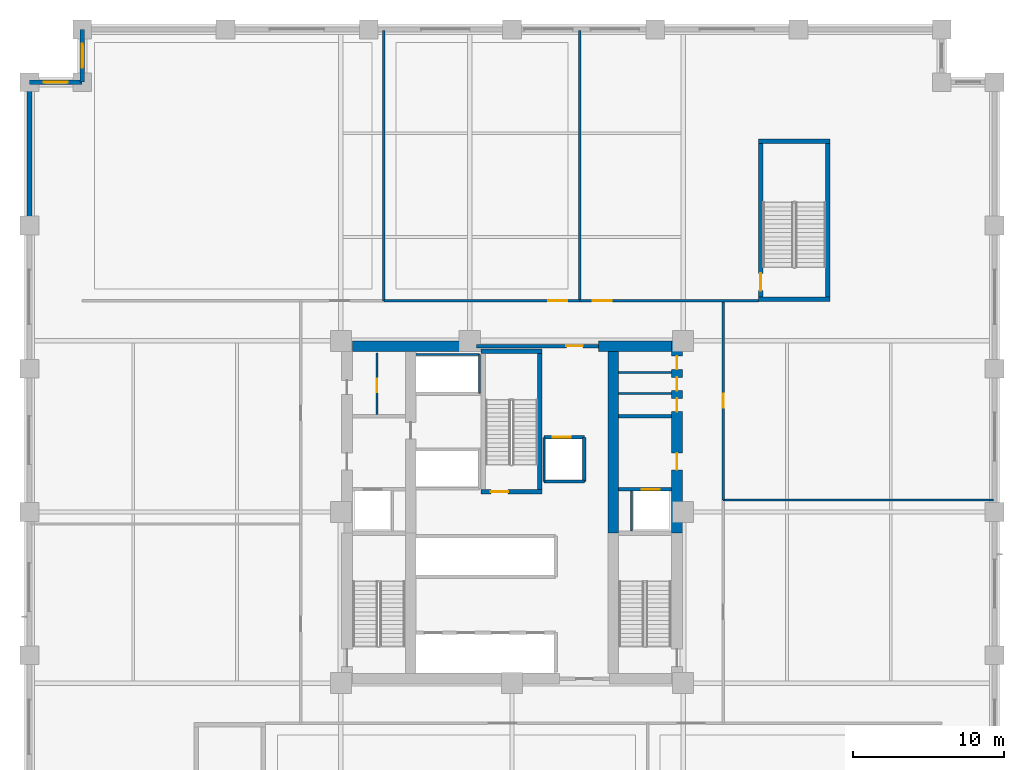
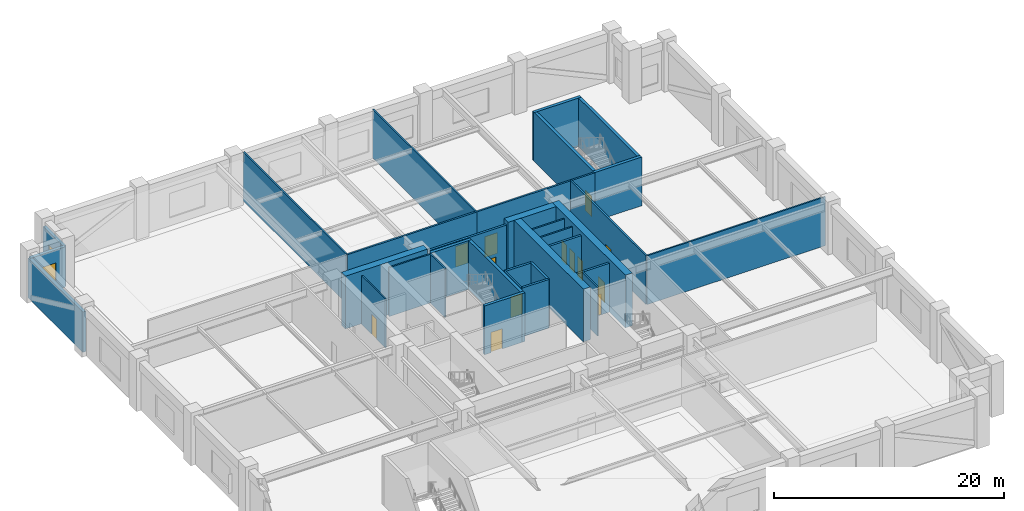
# One storey, part 7 of 14: 33 walls, 13 doors, 2 windows, 15 openings.
"""IFC4 building model written with IfcOpenShell, lengths in metres."""

from ifc_helpers import new_model, si_unit, direction, frame, frame_2d, origin, place, context, subcontext, project, spatial, rectangle, extrude, material, layer, layer_set, type_object, element, fill, save


model = new_model("IFC4")

# Units and contexts
model_context = context("Model", 3, precision=1e-05, world=origin(), true_north=direction((0.0, 1.0)))
body_context = subcontext(model_context, "Body", "Model", "MODEL_VIEW")
ifc_project = project(units=[si_unit("LENGTHUNIT", "METRE"), si_unit("AREAUNIT", "SQUARE_METRE"), si_unit("VOLUMEUNIT", "CUBIC_METRE"), si_unit("PLANEANGLEUNIT", "RADIAN"), si_unit("MASSUNIT", "GRAM", prefix="KILO")], contexts=[model_context])

# Site, building, storey
site_placement = place(None, origin())
site = spatial("IfcSite", under=ifc_project, at=site_placement, CompositionType="ELEMENT")
building_placement = place(site_placement, origin())
building = spatial("IfcBuilding", under=site, at=building_placement, Name="Nhamokura Convention Tower", CompositionType="ELEMENT")
storey_placement = place(building_placement, frame((0.0, 0.0, 23.800048828125)))
storey = spatial("IfcBuildingStorey", under=building, at=storey_placement, Name="L04", CompositionType="ELEMENT", Elevation=23.800048828125)

# Wall, opening, door
ifc_material_1 = material(Name="Moisture-resistant tile-backer partition", Category="masonry")
ifc_layer_1 = layer(ifc_material_1, 0.139892578125)
ifc_layer_set_1 = layer_set([ifc_layer_1], Name="BathroomWetWall_140")
wall_type_1 = type_object("IfcWallType", Name="BathroomWetWall_140", PredefinedType="STANDARD", material=ifc_layer_set_1)
wall_1_placement = place(storey_placement, frame((23.050048828125, 38.449951171875, 0.0), z_axis=(0.0, 0.0, 1.0), x_axis=(0.0, 1.0, 0.0)))
wall_1 = element("IfcWall", 1, at=wall_1_placement, inside=storey, type_object=wall_type_1, Name="L04 Wall INT-L04-CWNWV", PredefinedType="STANDARD", context=body_context, shape_type="SweptSolid", body=[
    extrude(rectangle(XDim=4.10009765625, YDim=0.139892578125, at=frame_2d((2.050048828125, 0.0))), origin(), (0.0, 0.0, 1.0), 5.179931640625),
])
opening_1_placement = place(wall_1_placement, frame((1.5, 0.0, 0.0)))
opening_1 = element("IfcOpeningElement", 2, at=opening_1_placement, cuts=wall_1, Name="Opening D-11", PredefinedType="OPENING", context=body_context, shape_type="SweptSolid", body=[
    extrude(rectangle(XDim=0.8798828125, YDim=2.10009765625, at=frame_2d((0.43994140625, 1.050048828125))), frame((0.0, 0.079833984375, 0.0), z_axis=(0.0, -1.0, 0.0), x_axis=(1.0, 0.0, 0.0)), (0.0, 0.0, 1.0), 0.159912109375),
])
ifc_material_2 = material(Name="Solid oak hardwood", Category="wood")
door_type_1 = type_object("IfcDoorType", Name="BathroomDoor_880", OperationType="NOTDEFINED", PredefinedType="DOOR", material=ifc_material_2)
door_1_placement = place(opening_1_placement, origin())
door_1 = element("IfcDoor", 3, at=door_1_placement, inside=storey, type_object=door_type_1, Name="L04 Inner Store Door", OperationType="SINGLE_SWING_LEFT", OverallHeight=2.10009765625, OverallWidth=0.8798828125, PredefinedType="DOOR", context=body_context, shape_type="SweptSolid", body=[
    extrude(rectangle(XDim=0.8798828125, YDim=2.10009765625, at=frame_2d((0.43994140625, 1.050048828125))), frame((0.0, 0.02490234375, 0.0), z_axis=(0.0, -1.0, 0.0), x_axis=(1.0, 0.0, 0.0)), (0.0, 0.0, 1.0), 0.050048828125),
])
fill(opening_1, door_1)

# Walls
for number, where, z_axis, x_axis, name in (
    (4, (39.06005859375, 39.85009765625, 0.0), (0.0, 0.0, 1.0), (1.0, 0.0, 0.0), "L04 Wall INT-L04-CWNE1"),
    (5, (39.06005859375, 41.25, 0.0), (0.0, 0.0, 1.0), (1.0, 0.0, 0.0), "L04 Wall INT-L04-CWNE2"),
):
    element("IfcWall", number, at=place(storey_placement, frame(where, z_axis=z_axis, x_axis=x_axis)), inside=storey, type_object=wall_type_1, Name=name, PredefinedType="STANDARD", context=body_context, shape_type="SweptSolid", body=[
        extrude(rectangle(XDim=3.530029296875, YDim=0.139892578125, at=frame_2d((1.76513671875, 0.0))), origin(), (0.0, 0.0, 1.0), 5.179931640625),
    ])
ifc_material_3 = material(Name="Bronze-pigmented precast concrete C45/55", Category="concrete")
ifc_layer_2 = layer(ifc_material_3, 0.320068359375)
ifc_layer_set_2 = layer_set([ifc_layer_2], Name="BronzePrecastSpandrel_320")
wall_type_2 = type_object("IfcWallType", Name="BronzePrecastSpandrel_320", PredefinedType="USERDEFINED", material=ifc_layer_set_2)
wall_2_placement = place(storey_placement, frame((0.0, 51.0, 0.0), z_axis=(0.0, 0.0, 1.0), x_axis=(0.0, 1.0, 0.0)))
element("IfcWall", 6, at=wall_2_placement, inside=storey, type_object=wall_type_2, Name="L04 Braced-Bay Precast Wall WEST 5", ObjectType="SPANDREL_WALL", PredefinedType="USERDEFINED", context=body_context, shape_type="SweptSolid", body=[
    extrude(rectangle(XDim=9.5, YDim=0.320068359375, at=frame_2d((4.75, 0.0))), origin(), (0.0, 0.0, 1.0), 4.280029296875),
])

# Wall, opening, window
wall_3_placement = place(storey_placement, frame((3.5, 60.5, 0.0), z_axis=(0.0, 0.0, 1.0), x_axis=(0.0, 1.0, 0.0)))
wall_3 = element("IfcWall", 7, at=wall_3_placement, inside=storey, type_object=wall_type_2, Name="L04 Notched Corner Wall NW1", ObjectType="SPANDREL_WALL", PredefinedType="USERDEFINED", context=body_context, shape_type="SweptSolid", body=[
    extrude(rectangle(XDim=3.5, YDim=0.320068359375, at=frame_2d((1.75, 0.0))), origin(), (0.0, 0.0, 1.0), 4.280029296875),
])
opening_2_placement = place(wall_3_placement, frame((0.949951171875, 0.0, 0.85009765625)))
opening_2 = element("IfcOpeningElement", 8, at=opening_2_placement, cuts=wall_3, Name="Opening W-11", PredefinedType="OPENING", context=body_context, shape_type="SweptSolid", body=[
    extrude(rectangle(XDim=1.60009765625, YDim=2.050048828125, at=frame_2d((0.800048828125, 1.02490234375))), frame((0.0, 0.169921875, 0.0), z_axis=(0.0, -1.0, 0.0), x_axis=(1.0, 0.0, 0.0)), (0.0, 0.0, 1.0), 0.340087890625),
])
ifc_material_4 = material(Name="Solar-control bronze low-E double glass", Category="glass")
window_type = type_object("IfcWindowType", Name="NotchCornerWindow_1600", PartitioningType="SINGLE_PANEL", PredefinedType="WINDOW", material=ifc_material_4)
window_1_placement = place(opening_2_placement, origin())
window_1 = element("IfcWindow", 9, at=window_1_placement, inside=storey, type_object=window_type, Name="L04 Notched Corner Window NW1", OverallHeight=2.050048828125, OverallWidth=1.60009765625, PartitioningType="SINGLE_PANEL", PredefinedType="WINDOW", context=body_context, shape_type="SweptSolid", body=[
    extrude(rectangle(XDim=1.60009765625, YDim=2.050048828125, at=frame_2d((0.800048828125, 1.02490234375))), frame((0.0, 0.030029296875, 0.0), z_axis=(0.0, -1.0, 0.0), x_axis=(1.0, 0.0, 0.0)), (0.0, 0.0, 1.0), 0.06005859375),
])
fill(opening_2, window_1)

wall_4_placement = place(storey_placement, frame((0.0, 60.5, 0.0), z_axis=(0.0, 0.0, 1.0), x_axis=(1.0, 0.0, 0.0)))
wall_4 = element("IfcWall", 10, at=wall_4_placement, inside=storey, type_object=wall_type_2, Name="L04 Notched Corner Wall NW2", ObjectType="SPANDREL_WALL", PredefinedType="USERDEFINED", context=body_context, shape_type="SweptSolid", body=[
    extrude(rectangle(XDim=3.5, YDim=0.320068359375, at=frame_2d((1.75, 0.0))), origin(), (0.0, 0.0, 1.0), 4.280029296875),
])
opening_3_placement = place(wall_4_placement, frame((0.949951171875, 0.0, 0.85009765625)))
opening_3 = element("IfcOpeningElement", 11, at=opening_3_placement, cuts=wall_4, Name="Opening W-11", PredefinedType="OPENING", context=body_context, shape_type="SweptSolid", body=[
    extrude(rectangle(XDim=1.60009765625, YDim=2.050048828125, at=frame_2d((0.800048828125, 1.02490234375))), frame((0.0, 0.169921875, 0.0), z_axis=(0.0, -1.0, 0.0), x_axis=(1.0, 0.0, 0.0)), (0.0, 0.0, 1.0), 0.340087890625),
])
window_2_placement = place(opening_3_placement, origin())
window_2 = element("IfcWindow", 12, at=window_2_placement, inside=storey, type_object=window_type, Name="L04 Notched Corner Window NW2", OverallHeight=2.050048828125, OverallWidth=1.60009765625, PartitioningType="SINGLE_PANEL", PredefinedType="WINDOW", context=body_context, shape_type="SweptSolid", body=[
    extrude(rectangle(XDim=1.60009765625, YDim=2.050048828125, at=frame_2d((0.800048828125, 1.02490234375))), frame((0.0, 0.030029296875, 0.0), z_axis=(0.0, -1.0, 0.0), x_axis=(1.0, 0.0, 0.0)), (0.0, 0.0, 1.0), 0.06005859375),
])
fill(opening_3, window_2)

# Wall, openings, doors
ifc_material_5 = material(Name="Concrete C70/85", Category="concrete")
ifc_layer_3 = layer(ifc_material_5, 0.699951171875)
ifc_layer_set_3 = layer_set([ifc_layer_3], Name="CoreShearWall_700")
wall_type_3 = type_object("IfcWallType", Name="CoreShearWall_700", PredefinedType="SHEAR", material=ifc_layer_set_3)
wall_5_placement = place(storey_placement, frame((42.93994140625, 30.60009765625, 0.0), z_axis=(0.0, 0.0, 1.0), x_axis=(0.0, 1.0, 0.0)))
wall_5 = element("IfcWall", 13, at=wall_5_placement, inside=storey, type_object=wall_type_3, Name="L04 Core Shear Wall CW-EN", PredefinedType="SHEAR", context=body_context, shape_type="SweptSolid", body=[
    extrude(rectangle(XDim=12.75, YDim=0.699951171875, at=frame_2d((6.375, 0.0))), origin(), (0.0, 0.0, 1.0), 5.599853515625),
])
opening_4_placement = place(wall_5_placement, frame((4.199951171875, 0.0, 0.0)))
opening_4 = element("IfcOpeningElement", 14, at=opening_4_placement, cuts=wall_5, Name="Opening D-05", PredefinedType="OPENING", context=body_context, shape_type="SweptSolid", body=[
    extrude(rectangle(XDim=1.10009765625, YDim=2.14990234375, at=frame_2d((0.550048828125, 1.074951171875))), frame((0.0, 0.35986328125, 0.0), z_axis=(0.0, -1.0, 0.0), x_axis=(1.0, 0.0, 0.0)), (0.0, 0.0, 1.0), 0.719970703125),
])
opening_5_placement = place(wall_5_placement, frame((8.050048828125, 0.0, 0.0)))
opening_5 = element("IfcOpeningElement", 15, at=opening_5_placement, cuts=wall_5, Name="Opening D-11", PredefinedType="OPENING", context=body_context, shape_type="SweptSolid", body=[
    extrude(rectangle(XDim=0.8798828125, YDim=2.10009765625, at=frame_2d((0.43994140625, 1.050048828125))), frame((0.0, 0.35986328125, 0.0), z_axis=(0.0, -1.0, 0.0), x_axis=(1.0, 0.0, 0.0)), (0.0, 0.0, 1.0), 0.719970703125),
])
opening_6_placement = place(wall_5_placement, frame((9.449951171875, 0.0, 0.0)))
opening_6 = element("IfcOpeningElement", 16, at=opening_6_placement, cuts=wall_5, Name="Opening D-11", PredefinedType="OPENING", context=body_context, shape_type="SweptSolid", body=[
    extrude(rectangle(XDim=0.8798828125, YDim=2.10009765625, at=frame_2d((0.43994140625, 1.050048828125))), frame((0.0, 0.35986328125, 0.0), z_axis=(0.0, -1.0, 0.0), x_axis=(1.0, 0.0, 0.0)), (0.0, 0.0, 1.0), 0.719970703125),
])
opening_7_placement = place(wall_5_placement, frame((10.85009765625, 0.0, 0.0)))
opening_7 = element("IfcOpeningElement", 17, at=opening_7_placement, cuts=wall_5, Name="Opening D-11", PredefinedType="OPENING", context=body_context, shape_type="SweptSolid", body=[
    extrude(rectangle(XDim=0.8798828125, YDim=2.10009765625, at=frame_2d((0.43994140625, 1.050048828125))), frame((0.0, 0.35986328125, 0.0), z_axis=(0.0, -1.0, 0.0), x_axis=(1.0, 0.0, 0.0)), (0.0, 0.0, 1.0), 0.719970703125),
])
door_2_placement = place(opening_5_placement, origin())
door_2 = element("IfcDoor", 18, at=door_2_placement, inside=storey, type_object=door_type_1, Name="L04 Core Door INT-L04-D-MWC", OperationType="SINGLE_SWING_LEFT", OverallHeight=2.10009765625, OverallWidth=0.8798828125, PredefinedType="DOOR", context=body_context, shape_type="SweptSolid", body=[
    extrude(rectangle(XDim=0.8798828125, YDim=2.10009765625, at=frame_2d((0.43994140625, 1.050048828125))), frame((0.0, 0.02490234375, 0.0), z_axis=(0.0, -1.0, 0.0), x_axis=(1.0, 0.0, 0.0)), (0.0, 0.0, 1.0), 0.050048828125),
])
fill(opening_5, door_2)
door_3_placement = place(opening_6_placement, origin())
door_3 = element("IfcDoor", 19, at=door_3_placement, inside=storey, type_object=door_type_1, Name="L04 Core Door INT-L04-D-FWC", OperationType="SINGLE_SWING_RIGHT", OverallHeight=2.10009765625, OverallWidth=0.8798828125, PredefinedType="DOOR", context=body_context, shape_type="SweptSolid", body=[
    extrude(rectangle(XDim=0.8798828125, YDim=2.10009765625, at=frame_2d((0.43994140625, 1.050048828125))), frame((0.0, 0.02490234375, 0.0), z_axis=(0.0, -1.0, 0.0), x_axis=(1.0, 0.0, 0.0)), (0.0, 0.0, 1.0), 0.050048828125),
])
fill(opening_6, door_3)
door_4_placement = place(opening_7_placement, origin())
door_4 = element("IfcDoor", 20, at=door_4_placement, inside=storey, type_object=door_type_1, Name="L04 Core Door INT-L04-D-ARC", OperationType="SINGLE_SWING_LEFT", OverallHeight=2.10009765625, OverallWidth=0.8798828125, PredefinedType="DOOR", context=body_context, shape_type="SweptSolid", body=[
    extrude(rectangle(XDim=0.8798828125, YDim=2.10009765625, at=frame_2d((0.43994140625, 1.050048828125))), frame((0.0, 0.02490234375, 0.0), z_axis=(0.0, -1.0, 0.0), x_axis=(1.0, 0.0, 0.0)), (0.0, 0.0, 1.0), 0.050048828125),
])
fill(opening_7, door_4)
ifc_material_6 = material(Name="Fire-rated steel door", Category="steel")
door_type_2 = type_object("IfcDoorType", Name="FireLobbyDoor_1100", OperationType="NOTDEFINED", PredefinedType="DOOR", material=ifc_material_6)
door_5_placement = place(opening_4_placement, origin())
door_5 = element("IfcDoor", 21, at=door_5_placement, inside=storey, type_object=door_type_2, Name="L04 Core Door INT-L04-D-FFLE", OperationType="SINGLE_SWING_LEFT", OverallHeight=2.14990234375, OverallWidth=1.10009765625, PredefinedType="DOOR", context=body_context, shape_type="SweptSolid", body=[
    extrude(rectangle(XDim=1.10009765625, YDim=2.14990234375, at=frame_2d((0.550048828125, 1.074951171875))), frame((0.0, 0.02490234375, 0.0), z_axis=(0.0, -1.0, 0.0), x_axis=(1.0, 0.0, 0.0)), (0.0, 0.0, 1.0), 0.050048828125),
])
fill(opening_4, door_5)

# Walls
wall_6_placement = place(storey_placement, frame((21.409912109375, 43.0, 0.0), z_axis=(0.0, 0.0, 1.0), x_axis=(1.0, 0.0, 0.0)))
element("IfcWall", 22, at=wall_6_placement, inside=storey, type_object=wall_type_3, Name="L04 Core Shear Wall CW-N1", PredefinedType="SHEAR", context=body_context, shape_type="SweptSolid", body=[
    extrude(rectangle(XDim=8.239990234375, YDim=0.699951171875, at=frame_2d((4.1201171875, 0.0))), origin(), (0.0, 0.0, 1.0), 5.599853515625),
])
wall_7_placement = place(storey_placement, frame((37.75, 43.0, 0.0), z_axis=(0.0, 0.0, 1.0), x_axis=(1.0, 0.0, 0.0)))
element("IfcWall", 23, at=wall_7_placement, inside=storey, type_object=wall_type_3, Name="L04 Core Shear Wall CW-N2", PredefinedType="SHEAR", context=body_context, shape_type="SweptSolid", body=[
    extrude(rectangle(XDim=4.840087890625, YDim=0.699951171875, at=frame_2d((2.419921875, 0.0))), origin(), (0.0, 0.0, 1.0), 5.599853515625),
])
wall_8_placement = place(storey_placement, frame((38.7099609375, 30.60009765625, 0.0), z_axis=(0.0, 0.0, 1.0), x_axis=(0.0, 1.0, 0.0)))
element("IfcWall", 24, at=wall_8_placement, inside=storey, type_object=wall_type_3, Name="L04 Core Shear Wall CW-IEN", PredefinedType="SHEAR", context=body_context, shape_type="SweptSolid", body=[
    extrude(rectangle(XDim=12.0498046875, YDim=0.699951171875, at=frame_2d((6.02490234375, 0.0))), origin(), (0.0, 0.0, 1.0), 5.599853515625),
])

# Wall, opening, door
ifc_material_7 = material(Name="Fire-rated gypsum and masonry partition", Category="masonry")
ifc_layer_4 = layer(ifc_material_7, 0.179931640625)
ifc_layer_set_4 = layer_set([ifc_layer_4], Name="CorridorRatedWall_180")
wall_type_4 = type_object("IfcWallType", Name="CorridorRatedWall_180", PredefinedType="STANDARD", material=ifc_layer_set_4)
wall_9_placement = place(storey_placement, frame((23.5, 46.0, 0.0), z_axis=(0.0, 0.0, 1.0), x_axis=(1.0, 0.0, 0.0)))
wall_9 = element("IfcWall", 25, at=wall_9_placement, inside=storey, type_object=wall_type_4, Name="L04 Wall INT-L04-CW-N01", PredefinedType="STANDARD", context=body_context, shape_type="SweptSolid", body=[
    extrude(rectangle(XDim=13.0, YDim=0.179931640625, at=frame_2d((6.5, 0.0))), origin(), (0.0, 0.0, 1.0), 5.179931640625),
])
opening_8_placement = place(wall_9_placement, frame((10.89990234375, 0.0, 0.0)))
opening_8 = element("IfcOpeningElement", 26, at=opening_8_placement, cuts=wall_9, Name="Opening D-12", PredefinedType="OPENING", context=body_context, shape_type="SweptSolid", body=[
    extrude(rectangle(XDim=1.25, YDim=2.199951171875, at=frame_2d((0.625, 1.10009765625))), frame((0.0, 0.099853515625, 0.0), z_axis=(0.0, -1.0, 0.0), x_axis=(1.0, 0.0, 0.0)), (0.0, 0.0, 1.0), 0.199951171875),
])
ifc_material_8 = material(Name="Fire-rated steel door", Category="steel")
door_type_3 = type_object("IfcDoorType", Name="PlantServiceDoor_1250", OperationType="NOTDEFINED", PredefinedType="DOOR", material=ifc_material_8)
door_6_placement = place(opening_8_placement, origin())
door_6 = element("IfcDoor", 27, at=door_6_placement, inside=storey, type_object=door_type_3, Name="L04 Protocol Suite N02 Door", OperationType="SINGLE_SWING_RIGHT", OverallHeight=2.199951171875, OverallWidth=1.25, PredefinedType="DOOR", context=body_context, shape_type="SweptSolid", body=[
    extrude(rectangle(XDim=1.25, YDim=2.199951171875, at=frame_2d((0.625, 1.10009765625))), frame((0.0, 0.02490234375, 0.0), z_axis=(0.0, -1.0, 0.0), x_axis=(1.0, 0.0, 0.0)), (0.0, 0.0, 1.0), 0.050048828125),
])
fill(opening_8, door_6)

wall_10_placement = place(storey_placement, frame((36.5, 46.0, 0.0), z_axis=(0.0, 0.0, 1.0), x_axis=(1.0, 0.0, 0.0)))
wall_10 = element("IfcWall", 28, at=wall_10_placement, inside=storey, type_object=wall_type_4, Name="L04 Wall INT-L04-CW-N02", PredefinedType="STANDARD", context=body_context, shape_type="SweptSolid", body=[
    extrude(rectangle(XDim=11.85009765625, YDim=0.179931640625, at=frame_2d((5.925048828125, 0.0))), origin(), (0.0, 0.0, 1.0), 5.179931640625),
])
opening_9_placement = place(wall_10_placement, frame((0.85009765625, 0.0, 0.0)))
opening_9 = element("IfcOpeningElement", 29, at=opening_9_placement, cuts=wall_10, Name="Opening D-12", PredefinedType="OPENING", context=body_context, shape_type="SweptSolid", body=[
    extrude(rectangle(XDim=1.25, YDim=2.199951171875, at=frame_2d((0.625, 1.10009765625))), frame((0.0, 0.099853515625, 0.0), z_axis=(0.0, -1.0, 0.0), x_axis=(1.0, 0.0, 0.0)), (0.0, 0.0, 1.0), 0.199951171875),
])
door_7_placement = place(opening_9_placement, origin())
door_7 = element("IfcDoor", 30, at=door_7_placement, inside=storey, type_object=door_type_3, Name="L04 Private Office N03 Door", OperationType="SINGLE_SWING_LEFT", OverallHeight=2.199951171875, OverallWidth=1.25, PredefinedType="DOOR", context=body_context, shape_type="SweptSolid", body=[
    extrude(rectangle(XDim=1.25, YDim=2.199951171875, at=frame_2d((0.625, 1.10009765625))), frame((0.0, 0.02490234375, 0.0), z_axis=(0.0, -1.0, 0.0), x_axis=(1.0, 0.0, 0.0)), (0.0, 0.0, 1.0), 0.050048828125),
])
fill(opening_9, door_7)

wall_11_placement = place(storey_placement, frame((46.0, 32.800048828125, 0.0), z_axis=(0.0, 0.0, 1.0), x_axis=(0.0, 1.0, 0.0)))
wall_11 = element("IfcWall", 31, at=wall_11_placement, inside=storey, type_object=wall_type_4, Name="L04 Wall INT-L04-CW-E01", PredefinedType="STANDARD", context=body_context, shape_type="SweptSolid", body=[
    extrude(rectangle(XDim=13.199951171875, YDim=0.179931640625, at=frame_2d((6.60009765625, 0.0))), origin(), (0.0, 0.0, 1.0), 5.179931640625),
])
opening_10_placement = place(wall_11_placement, frame((6.10009765625, 0.0, 0.0)))
opening_10 = element("IfcOpeningElement", 32, at=opening_10_placement, cuts=wall_11, Name="Opening D-09", PredefinedType="OPENING", context=body_context, shape_type="SweptSolid", body=[
    extrude(rectangle(XDim=0.949951171875, YDim=2.14990234375, at=frame_2d((0.47509765625, 1.074951171875))), frame((0.0, 0.099853515625, 0.0), z_axis=(0.0, -1.0, 0.0), x_axis=(1.0, 0.0, 0.0)), (0.0, 0.0, 1.0), 0.199951171875),
])
ifc_material_9 = material(Name="Solid oak hardwood", Category="wood")
door_type_4 = type_object("IfcDoorType", Name="MeetingRoomDoor_950", OperationType="NOTDEFINED", PredefinedType="DOOR", material=ifc_material_9)
door_8_placement = place(opening_10_placement, origin())
door_8 = element("IfcDoor", 33, at=door_8_placement, inside=storey, type_object=door_type_4, Name="L04 Private Office E02 Door", OperationType="SINGLE_SWING_RIGHT", OverallHeight=2.14990234375, OverallWidth=0.949951171875, PredefinedType="DOOR", context=body_context, shape_type="SweptSolid", body=[
    extrude(rectangle(XDim=0.949951171875, YDim=2.14990234375, at=frame_2d((0.47509765625, 1.074951171875))), frame((0.0, 0.02490234375, 0.0), z_axis=(0.0, -1.0, 0.0), x_axis=(1.0, 0.0, 0.0)), (0.0, 0.0, 1.0), 0.050048828125),
])
fill(opening_10, door_8)

ifc_material_10 = material(Name="Autoclaved concrete blockwork", Category="masonry")
ifc_layer_5 = layer(ifc_material_10, 0.219970703125)
ifc_layer_set_5 = layer_set([ifc_layer_5], Name="FireLobbyWall_220")
wall_type_5 = type_object("IfcWallType", Name="FireLobbyWall_220", PredefinedType="STANDARD", material=ifc_layer_set_5)
wall_12_placement = place(storey_placement, frame((39.06005859375, 33.5, 0.0), z_axis=(0.0, 0.0, 1.0), x_axis=(1.0, 0.0, 0.0)))
wall_12 = element("IfcWall", 34, at=wall_12_placement, inside=storey, type_object=wall_type_5, Name="L04 Wall INT-L04-FFE-S", PredefinedType="STANDARD", context=body_context, shape_type="SweptSolid", body=[
    extrude(rectangle(XDim=3.530029296875, YDim=0.219970703125, at=frame_2d((1.76513671875, 0.0))), origin(), (0.0, 0.0, 1.0), 5.179931640625),
])
opening_11_placement = place(wall_12_placement, frame((1.550048828125, 0.0, 0.0)))
opening_11 = element("IfcOpeningElement", 35, at=opening_11_placement, cuts=wall_12, Name="Opening LD-02", PredefinedType="OPENING", context=body_context, shape_type="SweptSolid", body=[
    extrude(rectangle(XDim=1.199951171875, YDim=2.199951171875, at=frame_2d((0.60009765625, 1.10009765625))), frame((0.0, 0.119873046875, 0.0), z_axis=(0.0, -1.0, 0.0), x_axis=(1.0, 0.0, 0.0)), (0.0, 0.0, 1.0), 0.239990234375),
])
ifc_material_11 = material(Name="Anodised bronze stainless steel", Category="steel")
door_type_5 = type_object("IfcDoorType", Name="LiftLandingDoor_FireService", OperationType="DOUBLE_DOOR_SLIDING", PredefinedType="DOOR", material=ifc_material_11)
door_9_placement = place(opening_11_placement, origin())
door_9 = element("IfcDoor", 36, at=door_9_placement, inside=storey, type_object=door_type_5, Name="L04 Firefighting Lift LF-02 Door", OperationType="DOUBLE_DOOR_SLIDING", OverallHeight=2.199951171875, OverallWidth=1.199951171875, PredefinedType="DOOR", context=body_context, shape_type="SweptSolid", body=[
    extrude(rectangle(XDim=1.199951171875, YDim=2.199951171875, at=frame_2d((0.60009765625, 1.10009765625))), frame((0.0, 0.02490234375, 0.0), z_axis=(0.0, -1.0, 0.0), x_axis=(1.0, 0.0, 0.0)), (0.0, 0.0, 1.0), 0.050048828125),
])
fill(opening_11, door_9)

# Wall
wall_13_placement = place(storey_placement, frame((39.06005859375, 38.35009765625, 0.0), z_axis=(0.0, 0.0, 1.0), x_axis=(1.0, 0.0, 0.0)))
element("IfcWall", 37, at=wall_13_placement, inside=storey, type_object=wall_type_5, Name="L04 Wall INT-L04-FFE-N", PredefinedType="STANDARD", context=body_context, shape_type="SweptSolid", body=[
    extrude(rectangle(XDim=3.530029296875, YDim=0.219970703125, at=frame_2d((1.76513671875, 0.0))), origin(), (0.0, 0.0, 1.0), 5.179931640625),
])

# Wall, opening, door
wall_14_placement = place(storey_placement, frame((29.64990234375, 43.0, 0.0), z_axis=(0.0, 0.0, 1.0), x_axis=(1.0, 0.0, 0.0)))
wall_14 = element("IfcWall", 38, at=wall_14_placement, inside=storey, type_object=wall_type_5, Name="L04 Wall INT-L04-CPORT-N", PredefinedType="STANDARD", context=body_context, shape_type="SweptSolid", body=[
    extrude(rectangle(XDim=8.10009765625, YDim=0.219970703125, at=frame_2d((4.050048828125, 0.0))), origin(), (0.0, 0.0, 1.0), 5.179931640625),
])
opening_12_placement = place(wall_14_placement, frame((5.949951171875, 0.0, 0.0)))
opening_12 = element("IfcOpeningElement", 39, at=opening_12_placement, cuts=wall_14, Name="Opening D-05", PredefinedType="OPENING", context=body_context, shape_type="SweptSolid", body=[
    extrude(rectangle(XDim=1.10009765625, YDim=2.14990234375, at=frame_2d((0.550048828125, 1.074951171875))), frame((0.0, 0.119873046875, 0.0), z_axis=(0.0, -1.0, 0.0), x_axis=(1.0, 0.0, 0.0)), (0.0, 0.0, 1.0), 0.239990234375),
])
door_10_placement = place(opening_12_placement, origin())
door_10 = element("IfcDoor", 40, at=door_10_placement, inside=storey, type_object=door_type_2, Name="L04 North Core Lobby Portal Door", OperationType="SINGLE_SWING_RIGHT", OverallHeight=2.14990234375, OverallWidth=1.10009765625, PredefinedType="DOOR", context=body_context, shape_type="SweptSolid", body=[
    extrude(rectangle(XDim=1.10009765625, YDim=2.14990234375, at=frame_2d((0.550048828125, 1.074951171875))), frame((0.0, 0.02490234375, 0.0), z_axis=(0.0, -1.0, 0.0), x_axis=(1.0, 0.0, 0.0)), (0.0, 0.0, 1.0), 0.050048828125),
])
fill(opening_12, door_10)

wall_15_placement = place(storey_placement, frame((34.1201171875, 36.949951171875, 0.0), z_axis=(0.0, 0.0, 1.0), x_axis=(1.0, 0.0, 0.0)))
wall_15 = element("IfcWall", 41, at=wall_15_placement, inside=storey, type_object=wall_type_5, Name="L04 Wall INT-L04-LSN", PredefinedType="STANDARD", context=body_context, shape_type="SweptSolid", body=[
    extrude(rectangle(XDim=2.679931640625, YDim=0.219970703125, at=frame_2d((1.33984375, 0.0))), origin(), (0.0, 0.0, 1.0), 5.179931640625),
])
opening_13_placement = place(wall_15_placement, frame((0.580078125, 0.0, 0.0)))
opening_13 = element("IfcOpeningElement", 42, at=opening_13_placement, cuts=wall_15, Name="Opening LD-02", PredefinedType="OPENING", context=body_context, shape_type="SweptSolid", body=[
    extrude(rectangle(XDim=1.199951171875, YDim=2.199951171875, at=frame_2d((0.60009765625, 1.10009765625))), frame((0.0, 0.119873046875, 0.0), z_axis=(0.0, -1.0, 0.0), x_axis=(1.0, 0.0, 0.0)), (0.0, 0.0, 1.0), 0.239990234375),
])
door_11_placement = place(opening_13_placement, origin())
door_11 = element("IfcDoor", 43, at=door_11_placement, inside=storey, type_object=door_type_5, Name="L04 Service Lift LS-01 Door", OperationType="DOUBLE_DOOR_SLIDING", OverallHeight=2.199951171875, OverallWidth=1.199951171875, PredefinedType="DOOR", context=body_context, shape_type="SweptSolid", body=[
    extrude(rectangle(XDim=1.199951171875, YDim=2.199951171875, at=frame_2d((0.60009765625, 1.10009765625))), frame((0.0, 0.02490234375, 0.0), z_axis=(0.0, -1.0, 0.0), x_axis=(1.0, 0.0, 0.0)), (0.0, 0.0, 1.0), 0.050048828125),
])
fill(opening_13, door_11)

# Walls
wall_16_placement = place(storey_placement, frame((36.800048828125, 34.02001953125, 0.0), z_axis=(0.0, 0.0, 1.0), x_axis=(0.0, 1.0, 0.0)))
element("IfcWall", 44, at=wall_16_placement, inside=storey, type_object=wall_type_5, Name="L04 Wall INT-L04-LSE", PredefinedType="STANDARD", context=body_context, shape_type="SweptSolid", body=[
    extrude(rectangle(XDim=2.929931640625, YDim=0.219970703125, at=frame_2d((1.46484375, 0.0))), origin(), (0.0, 0.0, 1.0), 5.179931640625),
])
wall_17_placement = place(storey_placement, frame((34.1201171875, 34.02001953125, 0.0), z_axis=(0.0, 0.0, 1.0), x_axis=(1.0, 0.0, 0.0)))
element("IfcWall", 45, at=wall_17_placement, inside=storey, type_object=wall_type_5, Name="L04 Wall INT-L04-LSS", PredefinedType="STANDARD", context=body_context, shape_type="SweptSolid", body=[
    extrude(rectangle(XDim=2.679931640625, YDim=0.219970703125, at=frame_2d((1.33984375, 0.0))), origin(), (0.0, 0.0, 1.0), 5.179931640625),
])
ifc_material_12 = material(Name="Acoustic gypsum stud partition", Category="masonry")
ifc_layer_6 = layer(ifc_material_12, 0.14990234375)
ifc_layer_set_6 = layer_set([ifc_layer_6], Name="InteriorPartition_150")
wall_type_6 = type_object("IfcWallType", Name="InteriorPartition_150", PredefinedType="STANDARD", material=ifc_layer_set_6)
wall_18_placement = place(storey_placement, frame((39.919921875, 30.75, 0.0), z_axis=(0.0, 0.0, 1.0), x_axis=(0.0, 1.0, 0.0)))
element("IfcWall", 46, at=wall_18_placement, inside=storey, type_object=wall_type_6, Name="L04 Wall INT-L04-FF2-W", PredefinedType="STANDARD", context=body_context, shape_type="SweptSolid", body=[
    extrude(rectangle(XDim=2.64990234375, YDim=0.14990234375, at=frame_2d((1.324951171875, 0.0))), origin(), (0.0, 0.0, 1.0), 5.179931640625),
])
wall_19_placement = place(storey_placement, frame((25.64990234375, 42.449951171875, 0.0), z_axis=(0.0, 0.0, 1.0), x_axis=(1.0, 0.0, 0.0)))
element("IfcWall", 47, at=wall_19_placement, inside=storey, type_object=wall_type_6, Name="L04 Wall INT-L04-B3B-N", PredefinedType="STANDARD", context=body_context, shape_type="SweptSolid", body=[
    extrude(rectangle(XDim=4.2001953125, YDim=0.14990234375, at=frame_2d((2.10009765625, 0.0))), origin(), (0.0, 0.0, 1.0), 5.179931640625),
])
wall_20_placement = place(storey_placement, frame((29.85009765625, 39.85009765625, 0.0), z_axis=(0.0, 0.0, 1.0), x_axis=(0.0, 1.0, 0.0)))
element("IfcWall", 48, at=wall_20_placement, inside=storey, type_object=wall_type_6, Name="L04 Wall INT-L04-B3B-E", PredefinedType="STANDARD", context=body_context, shape_type="SweptSolid", body=[
    extrude(rectangle(XDim=2.599853515625, YDim=0.14990234375, at=frame_2d((1.2998046875, 0.0))), origin(), (0.0, 0.0, 1.0), 5.179931640625),
])
wall_21_placement = place(storey_placement, frame((34.1201171875, 34.02001953125, 0.0), z_axis=(0.0, 0.0, 1.0), x_axis=(0.0, 1.0, 0.0)))
element("IfcWall", 49, at=wall_21_placement, inside=storey, type_object=wall_type_6, Name="L04 Wall INT-L04-LSW", PredefinedType="STANDARD", context=body_context, shape_type="SweptSolid", body=[
    extrude(rectangle(XDim=2.929931640625, YDim=0.14990234375, at=frame_2d((1.46484375, 0.0))), origin(), (0.0, 0.0, 1.0), 5.179931640625),
])
for number, where, z_axis, x_axis, name in (
    (50, (23.5, 46.0, 0.0), (0.0, 0.0, 1.0), (0.0, 1.0, 0.0), "L04 Wall INT-L04-RW-N01"),
    (51, (36.5, 46.0, 0.0), (0.0, 0.0, 1.0), (0.0, 1.0, 0.0), "L04 Wall INT-L04-RW-N02"),
    (52, (46.0, 32.800048828125, 0.0), (0.0, 0.0, 1.0), (1.0, 0.0, 0.0), "L04 Wall INT-L04-RW-E01"),
):
    element("IfcWall", number, at=place(storey_placement, frame(where, z_axis=z_axis, x_axis=x_axis)), inside=storey, type_object=wall_type_6, Name=name, PredefinedType="STANDARD", context=body_context, shape_type="SweptSolid", body=[
        extrude(rectangle(XDim=17.93994140625, YDim=0.14990234375, at=frame_2d((8.969970703125, 0.0))), origin(), (0.0, 0.0, 1.0), 5.179931640625),
    ])
ifc_material_13 = material(Name="Concrete C50/60", Category="concrete")
ifc_layer_7 = layer(ifc_material_13, 0.300048828125)
ifc_layer_set_7 = layer_set([ifc_layer_7], Name="ShaftEnclosureWall_300")
wall_type_7 = type_object("IfcWallType", Name="ShaftEnclosureWall_300", PredefinedType="SHEAR", material=ifc_layer_set_7)
wall_22_placement = place(storey_placement, frame((33.85009765625, 33.199951171875, 0.0), z_axis=(0.0, 0.0, 1.0), x_axis=(0.0, 1.0, 0.0)))
element("IfcWall", 53, at=wall_22_placement, inside=storey, type_object=wall_type_7, Name="L04 Wall INT-L04-ST03E", PredefinedType="SHEAR", context=body_context, shape_type="SweptSolid", body=[
    extrude(rectangle(XDim=9.60009765625, YDim=0.300048828125, at=frame_2d((4.800048828125, 0.0))), origin(), (0.0, 0.0, 1.0), 5.179931640625),
])

# Wall, opening, door
wall_23_placement = place(storey_placement, frame((29.949951171875, 33.35009765625, 0.0), z_axis=(0.0, 0.0, 1.0), x_axis=(1.0, 0.0, 0.0)))
wall_23 = element("IfcWall", 54, at=wall_23_placement, inside=storey, type_object=wall_type_7, Name="L04 Wall INT-L04-ST03S", PredefinedType="SHEAR", context=body_context, shape_type="SweptSolid", body=[
    extrude(rectangle(XDim=4.050048828125, YDim=0.300048828125, at=frame_2d((2.02490234375, 0.0))), origin(), (0.0, 0.0, 1.0), 5.179931640625),
])
opening_14_placement = place(wall_23_placement, frame((0.64990234375, 0.0, 0.0)))
opening_14 = element("IfcOpeningElement", 55, at=opening_14_placement, cuts=wall_23, Name="Opening D-04", PredefinedType="OPENING", context=body_context, shape_type="SweptSolid", body=[
    extrude(rectangle(XDim=1.14990234375, YDim=2.14990234375, at=frame_2d((0.574951171875, 1.074951171875))), frame((0.0, 0.159912109375, 0.0), z_axis=(0.0, -1.0, 0.0), x_axis=(1.0, 0.0, 0.0)), (0.0, 0.0, 1.0), 0.320068359375),
])
ifc_material_14 = material(Name="Fire-rated steel door", Category="steel")
door_type_6 = type_object("IfcDoorType", Name="StairSmokeDoor_1150", OperationType="NOTDEFINED", PredefinedType="DOOR", material=ifc_material_14)
door_12_placement = place(opening_14_placement, origin())
door_12 = element("IfcDoor", 56, at=door_12_placement, inside=storey, type_object=door_type_6, Name="L04 Stair ST-03 Smoke Door", OperationType="SINGLE_SWING_LEFT", OverallHeight=2.14990234375, OverallWidth=1.14990234375, PredefinedType="DOOR", context=body_context, shape_type="SweptSolid", body=[
    extrude(rectangle(XDim=1.14990234375, YDim=2.14990234375, at=frame_2d((0.574951171875, 1.074951171875))), frame((0.0, 0.02490234375, 0.0), z_axis=(0.0, -1.0, 0.0), x_axis=(1.0, 0.0, 0.0)), (0.0, 0.0, 1.0), 0.050048828125),
])
fill(opening_14, door_12)

# Wall
wall_24_placement = place(storey_placement, frame((29.949951171875, 42.64990234375, 0.0), z_axis=(0.0, 0.0, 1.0), x_axis=(1.0, 0.0, 0.0)))
element("IfcWall", 57, at=wall_24_placement, inside=storey, type_object=wall_type_7, Name="L04 Wall INT-L04-ST03N", PredefinedType="SHEAR", context=body_context, shape_type="SweptSolid", body=[
    extrude(rectangle(XDim=4.050048828125, YDim=0.300048828125, at=frame_2d((2.02490234375, 0.0))), origin(), (0.0, 0.0, 1.0), 5.179931640625),
])

# Wall, opening, door
wall_25_placement = place(storey_placement, frame((48.5, 46.10009765625, 0.0), z_axis=(0.0, 0.0, 1.0), x_axis=(0.0, 1.0, 0.0)))
wall_25 = element("IfcWall", 58, at=wall_25_placement, inside=storey, type_object=wall_type_7, Name="L04 Wall INT-L04-ST05-W", PredefinedType="SHEAR", context=body_context, shape_type="SweptSolid", body=[
    extrude(rectangle(XDim=10.5, YDim=0.300048828125, at=frame_2d((5.25, 0.0))), origin(), (0.0, 0.0, 1.0), 5.179931640625),
])
opening_15_placement = place(wall_25_placement, frame((0.580078125, 0.0, 0.0)))
opening_15 = element("IfcOpeningElement", 59, at=opening_15_placement, cuts=wall_25, Name="Opening D-04", PredefinedType="OPENING", context=body_context, shape_type="SweptSolid", body=[
    extrude(rectangle(XDim=1.14990234375, YDim=2.14990234375, at=frame_2d((0.574951171875, 1.074951171875))), frame((0.0, 0.159912109375, 0.0), z_axis=(0.0, -1.0, 0.0), x_axis=(1.0, 0.0, 0.0)), (0.0, 0.0, 1.0), 0.320068359375),
])
door_13_placement = place(opening_15_placement, origin())
door_13 = element("IfcDoor", 60, at=door_13_placement, inside=storey, type_object=door_type_6, Name="L04 Stair ST-05 Smoke Door", OperationType="SINGLE_SWING_LEFT", OverallHeight=2.14990234375, OverallWidth=1.14990234375, PredefinedType="DOOR", context=body_context, shape_type="SweptSolid", body=[
    extrude(rectangle(XDim=1.14990234375, YDim=2.14990234375, at=frame_2d((0.574951171875, 1.074951171875))), frame((0.0, 0.02490234375, 0.0), z_axis=(0.0, -1.0, 0.0), x_axis=(1.0, 0.0, 0.0)), (0.0, 0.0, 1.0), 0.050048828125),
])
fill(opening_15, door_13)

# Walls
wall_26_placement = place(storey_placement, frame((52.949951171875, 46.10009765625, 0.0), z_axis=(0.0, 0.0, 1.0), x_axis=(0.0, 1.0, 0.0)))
element("IfcWall", 61, at=wall_26_placement, inside=storey, type_object=wall_type_7, Name="L04 Wall INT-L04-ST05-E", PredefinedType="SHEAR", context=body_context, shape_type="SweptSolid", body=[
    extrude(rectangle(XDim=10.5, YDim=0.300048828125, at=frame_2d((5.25, 0.0))), origin(), (0.0, 0.0, 1.0), 5.179931640625),
])
for number, where, z_axis, x_axis, name in (
    (62, (48.35009765625, 46.10009765625, 0.0), (0.0, 0.0, 1.0), (1.0, 0.0, 0.0), "L04 Wall INT-L04-ST05-S"),
    (63, (48.35009765625, 56.60009765625, 0.0), (0.0, 0.0, 1.0), (1.0, 0.0, 0.0), "L04 Wall INT-L04-ST05-N"),
):
    element("IfcWall", number, at=place(storey_placement, frame(where, z_axis=z_axis, x_axis=x_axis)), inside=storey, type_object=wall_type_7, Name=name, PredefinedType="SHEAR", context=body_context, shape_type="SweptSolid", body=[
        extrude(rectangle(XDim=4.75, YDim=0.300048828125, at=frame_2d((2.375, 0.0))), origin(), (0.0, 0.0, 1.0), 5.179931640625),
    ])

save(model, "model.ifc")
